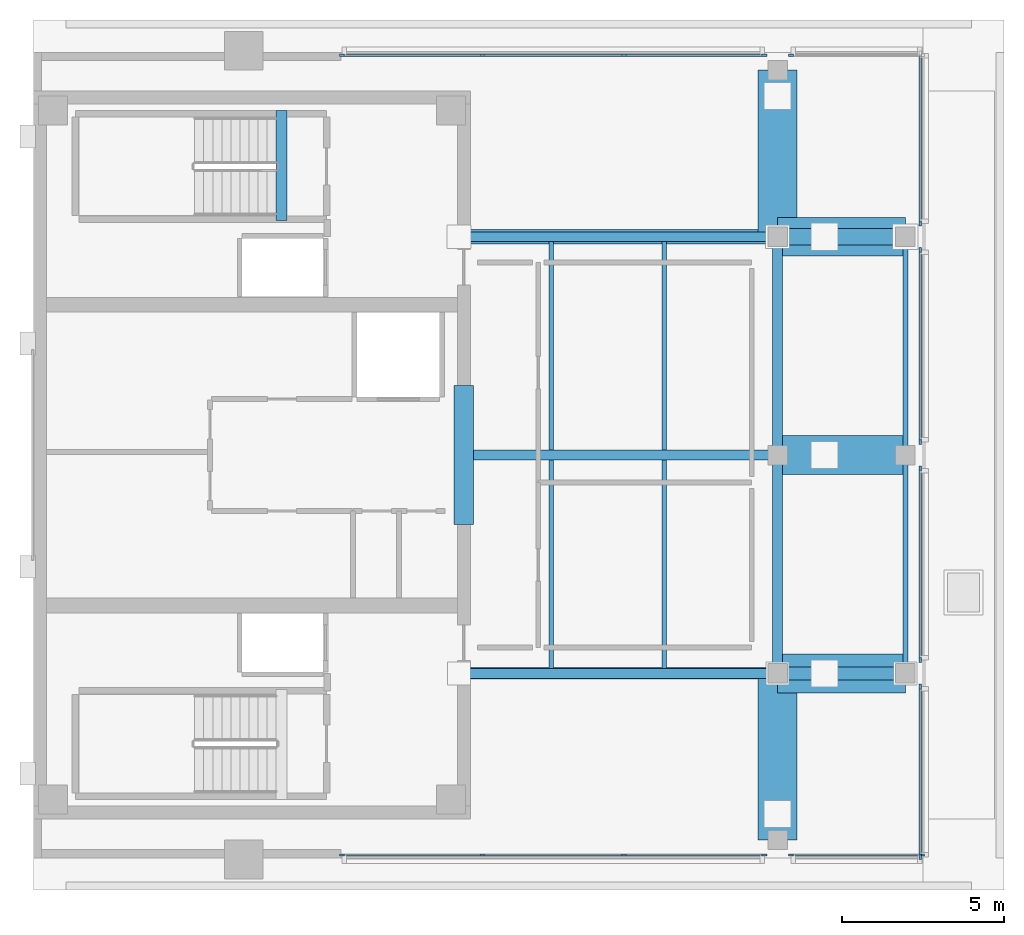
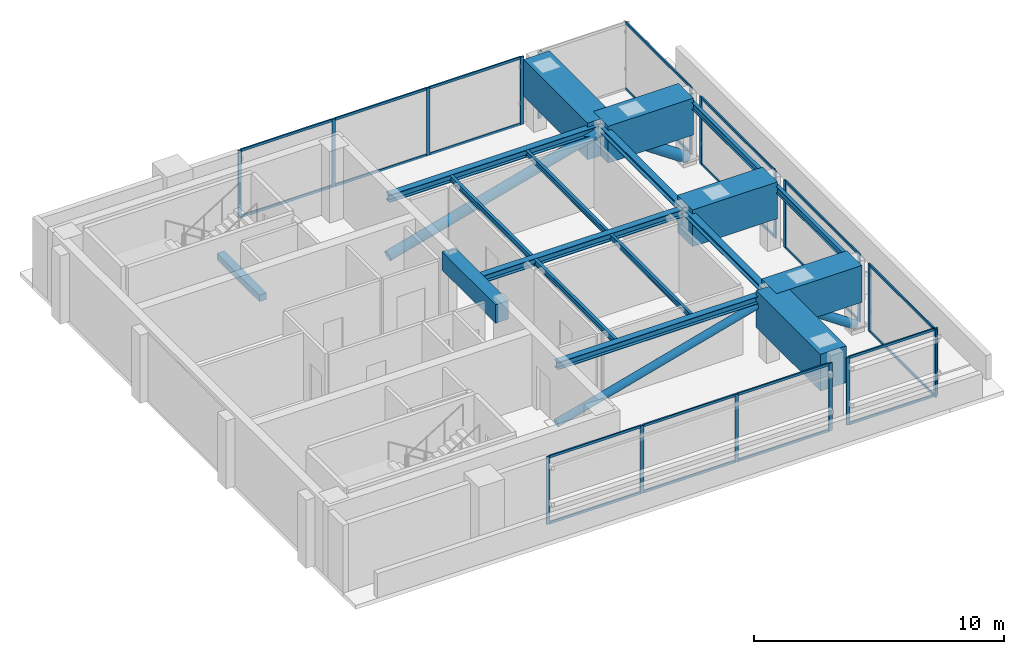
# One storey, part 2 of 9: 44 members, 18 beams, 8 elements without a shape of their own.
"""IFC4 building model written with IfcOpenShell, lengths in metres."""

from ifc_helpers import new_model, si_unit, direction, frame, origin, origin_2d, place, context, subcontext, project, spatial, rectangle, hollow_circle, i_section, extrude, material, layer, layer_set, material_profile, profile_set, type_object, element, aggregate, save


model = new_model("IFC4")

# Units and contexts
model_context = context("Model", 3, precision=1e-05, world=origin(), true_north=direction((0.0, 1.0)))
body_context = subcontext(model_context, "Body", "Model", "MODEL_VIEW")
ifc_project = project(units=[si_unit("LENGTHUNIT", "METRE"), si_unit("AREAUNIT", "SQUARE_METRE"), si_unit("VOLUMEUNIT", "CUBIC_METRE"), si_unit("PLANEANGLEUNIT", "RADIAN"), si_unit("MASSUNIT", "GRAM", prefix="KILO")], contexts=[model_context])

# Site, building, storey
site_placement = place(None, origin())
site = spatial("IfcSite", under=ifc_project, at=site_placement, CompositionType="ELEMENT")
building_placement = place(site_placement, origin())
building = spatial("IfcBuilding", under=site, at=building_placement, Name="Kinhvarn Gate Tower", CompositionType="ELEMENT")
storey_placement = place(building_placement, frame((0.0, 0.0, 318.050048828125)))
storey = spatial("IfcBuildingStorey", under=building, at=storey_placement, Name="L84", CompositionType="ELEMENT", Elevation=318.050048828125)

# Beams
ifc_material_1 = material(Name="Concrete C60/75", Category="concrete")
ifc_material_profile_1 = material_profile(ifc_material_1, rectangle(XDim=0.60009765625, YDim=0.89990234375, at=origin_2d()), Name="RC 600x900")
ifc_profile_set_1 = profile_set([ifc_material_profile_1], Name="Concrete C60/75")
beam_type_1 = type_object("IfcBeamType", Name="BM-CB-900", PredefinedType="LINTEL", material=ifc_profile_set_1)
beam_1_placement = place(storey_placement, frame((17.800048828125, 23.10009765625, 2.849853515625), z_axis=(0.0, 1.0, 0.0), x_axis=(-1.0, 0.0, 0.0)))
element("IfcBeam", 1, at=beam_1_placement, inside=storey, type_object=beam_type_1, Name="Core East Portal Coupling Beam L84", PredefinedType="LINTEL", context=body_context, shape_type="SweptSolid", body=[
    extrude(rectangle(XDim=0.60009765625, YDim=0.89990234375, at=origin_2d()), origin(), (0.0, 0.0, 1.0), 4.2998046875),
])
ifc_material_2 = material(Name="Concrete C50/60", Category="concrete")
ifc_material_profile_2 = material_profile(ifc_material_2, rectangle(XDim=0.340087890625, YDim=0.320068359375, at=origin_2d()), Name="RC 340x320")
ifc_profile_set_2 = profile_set([ifc_material_profile_2], Name="Concrete C50/60")
beam_type_2 = type_object("IfcBeamType", Name="BM-LND-500", PredefinedType="BEAM", material=ifc_profile_set_2)
beam_2_placement = place(storey_placement, frame((12.1650390625, 32.5, -0.16015625), z_axis=(0.0, 1.0, 0.0), x_axis=(-1.0, 0.0, 0.0)))
element("IfcBeam", 2, at=beam_2_placement, inside=storey, type_object=beam_type_2, Name="Stair ST2 Landing Nosing Beam (L84)", PredefinedType="BEAM", context=body_context, shape_type="SweptSolid", body=[
    extrude(rectangle(XDim=0.340087890625, YDim=0.320068359375, at=origin_2d()), origin(), (0.0, 0.0, 1.0), 3.39990234375),
])
ifc_material_profile_3 = material_profile(ifc_material_2, rectangle(XDim=1.199951171875, YDim=1.800048828125, at=origin_2d()), Name="RC 1200x1800")
ifc_profile_set_3 = profile_set([ifc_material_profile_3], Name="Concrete C50/60")
beam_type_3 = type_object("IfcBeamType", Name="BM-TG-1800", PredefinedType="BEAM", material=ifc_profile_set_3)
for number, where, z_axis, x_axis, name in (
    (3, (27.5, 18.5, 2.599853515625), (1.0, 0.0, 0.0), (0.0, 1.0, 0.0), "Setback Transfer Girder TG-03-L85-CCR-E1"),
    (4, (27.5, 25.25, 2.599853515625), (1.0, 0.0, 0.0), (0.0, 1.0, 0.0), "Setback Transfer Girder TG-03-L85-CCR-E2"),
    (5, (27.5, 32.0, 2.599853515625), (1.0, 0.0, 0.0), (0.0, 1.0, 0.0), "Setback Transfer Girder TG-03-L85-CCR-E3"),
):
    element("IfcBeam", number, at=place(storey_placement, frame(where, z_axis=z_axis, x_axis=x_axis)), inside=storey, type_object=beam_type_3, Name=name, PredefinedType="BEAM", context=body_context, shape_type="SweptSolid", body=[
        extrude(rectangle(XDim=1.199951171875, YDim=1.800048828125, at=origin_2d()), origin(), (0.0, 0.0, 1.0), 3.949951171875),
    ])
for number, where, z_axis, x_axis, name in (
    (6, (27.5, 13.35009765625, 2.599853515625), (0.0, 1.0, 0.0), (-1.0, 0.0, 0.0), "Setback Transfer Girder TG-03-L85-CCR-S1"),
    (7, (27.5, 32.0, 2.599853515625), (0.0, 1.0, 0.0), (-1.0, 0.0, 0.0), "Setback Transfer Girder TG-03-L85-CCR-N1"),
):
    element("IfcBeam", number, at=place(storey_placement, frame(where, z_axis=z_axis, x_axis=x_axis)), inside=storey, type_object=beam_type_3, Name=name, PredefinedType="BEAM", context=body_context, shape_type="SweptSolid", body=[
        extrude(rectangle(XDim=1.199951171875, YDim=1.800048828125, at=origin_2d()), origin(), (0.0, 0.0, 1.0), 5.14990234375),
    ])

# Curtain wall, members
ifc_material_3 = material(Name="Anodised aluminium AW-6063", Category="aluminium")
ifc_layer = layer(ifc_material_3, 0.199951171875)
ifc_layer_set = layer_set([ifc_layer], Name="Anodised aluminium AW-6063")
curtain_wall_type = type_object("IfcCurtainWallType", Name="CW-SYS-6", PredefinedType="NOTDEFINED", material=ifc_layer_set)
curtain_wall_1_placement = place(storey_placement, origin())
curtain_wall_1 = element("IfcCurtainWall", 8, at=curtain_wall_1_placement, inside=storey, type_object=curtain_wall_type, Name="Curtain Wall CW6 (L84)", PredefinedType="NOTDEFINED")
ifc_material_profile_4 = material_profile(ifc_material_3, rectangle(XDim=0.06494140625, YDim=0.159912109375, at=origin_2d()), Name="ALU 65x160")
ifc_profile_set_4 = profile_set([ifc_material_profile_4], Name="Anodised aluminium AW-6063")
member_type_1 = type_object("IfcMemberType", Name="CW-MUL-160", PredefinedType="MULLION", material=ifc_profile_set_4)
member_1_placement = place(storey_placement, frame((14.032470703125, 12.889892578125, 0.0), z_axis=(0.0, 0.0, 1.0), x_axis=(0.0, 1.0, 0.0)))
member_1 = element("IfcMember", 9, at=member_1_placement, type_object=member_type_1, Name="CW6 mullion 1", PredefinedType="MULLION", context=body_context, shape_type="SweptSolid", body=[
    extrude(rectangle(XDim=0.06494140625, YDim=0.159912109375, at=origin_2d()), origin(), (0.0, 0.0, 1.0), 3.300048828125),
])
member_2_placement = place(storey_placement, frame((18.373291015625, 12.889892578125, 0.0), z_axis=(0.0, 0.0, 1.0), x_axis=(0.0, 1.0, 0.0)))
member_2 = element("IfcMember", 10, at=member_2_placement, type_object=member_type_1, Name="CW6 mullion 2", PredefinedType="MULLION", context=body_context, shape_type="SweptSolid", body=[
    extrude(rectangle(XDim=0.06494140625, YDim=0.159912109375, at=origin_2d()), origin(), (0.0, 0.0, 1.0), 3.300048828125),
])
member_3_placement = place(storey_placement, frame((22.74658203125, 12.889892578125, 0.0), z_axis=(0.0, 0.0, 1.0), x_axis=(0.0, 1.0, 0.0)))
member_3 = element("IfcMember", 11, at=member_3_placement, type_object=member_type_1, Name="CW6 mullion 3", PredefinedType="MULLION", context=body_context, shape_type="SweptSolid", body=[
    extrude(rectangle(XDim=0.06494140625, YDim=0.159912109375, at=origin_2d()), origin(), (0.0, 0.0, 1.0), 3.300048828125),
])
member_4_placement = place(storey_placement, frame((27.08740234375, 12.889892578125, 0.0), z_axis=(0.0, 0.0, 1.0), x_axis=(0.0, 1.0, 0.0)))
member_4 = element("IfcMember", 12, at=member_4_placement, type_object=member_type_1, Name="CW6 mullion 4", PredefinedType="MULLION", context=body_context, shape_type="SweptSolid", body=[
    extrude(rectangle(XDim=0.06494140625, YDim=0.159912109375, at=origin_2d()), origin(), (0.0, 0.0, 1.0), 3.300048828125),
])

curtain_wall_2_placement = place(storey_placement, origin())
curtain_wall_2 = element("IfcCurtainWall", 13, at=curtain_wall_2_placement, inside=storey, type_object=curtain_wall_type, Name="Curtain Wall CW6 (L84)", PredefinedType="NOTDEFINED")
member_5_placement = place(storey_placement, frame((27.91259765625, 12.889892578125, 0.0), z_axis=(0.0, 0.0, 1.0), x_axis=(0.0, 1.0, 0.0)))
member_5 = element("IfcMember", 14, at=member_5_placement, type_object=member_type_1, Name="CW6 mullion 1", PredefinedType="MULLION", context=body_context, shape_type="SweptSolid", body=[
    extrude(rectangle(XDim=0.06494140625, YDim=0.159912109375, at=origin_2d()), origin(), (0.0, 0.0, 1.0), 3.300048828125),
])
member_6_placement = place(storey_placement, frame((31.967529296875, 12.889892578125, 0.0), z_axis=(0.0, 0.0, 1.0), x_axis=(0.0, 1.0, 0.0)))
member_6 = element("IfcMember", 15, at=member_6_placement, type_object=member_type_1, Name="CW6 mullion 2", PredefinedType="MULLION", context=body_context, shape_type="SweptSolid", body=[
    extrude(rectangle(XDim=0.06494140625, YDim=0.159912109375, at=origin_2d()), origin(), (0.0, 0.0, 1.0), 3.300048828125),
])

# Curtain wall, member
curtain_wall_3_placement = place(storey_placement, origin())
curtain_wall_3 = element("IfcCurtainWall", 16, at=curtain_wall_3_placement, inside=storey, type_object=curtain_wall_type, Name="Curtain Wall CW6 (L84)", PredefinedType="NOTDEFINED")
member_7_placement = place(storey_placement, frame((27.91259765625, 37.610107421875, 0.0), z_axis=(0.0, 0.0, 1.0), x_axis=(0.0, -1.0, 0.0)))
member_7 = element("IfcMember", 17, at=member_7_placement, type_object=member_type_1, Name="CW6 mullion 2", PredefinedType="MULLION", context=body_context, shape_type="SweptSolid", body=[
    extrude(rectangle(XDim=0.06494140625, YDim=0.159912109375, at=origin_2d()), origin(), (0.0, 0.0, 1.0), 3.300048828125),
])
aggregate(curtain_wall_3, [member_7])

# Curtain wall, members
curtain_wall_4_placement = place(storey_placement, origin())
curtain_wall_4 = element("IfcCurtainWall", 18, at=curtain_wall_4_placement, inside=storey, type_object=curtain_wall_type, Name="Curtain Wall CW6 (L84)", PredefinedType="NOTDEFINED")
member_8_placement = place(storey_placement, frame((27.08740234375, 37.610107421875, 0.0), z_axis=(0.0, 0.0, 1.0), x_axis=(0.0, -1.0, 0.0)))
member_8 = element("IfcMember", 19, at=member_8_placement, type_object=member_type_1, Name="CW6 mullion 1", PredefinedType="MULLION", context=body_context, shape_type="SweptSolid", body=[
    extrude(rectangle(XDim=0.06494140625, YDim=0.159912109375, at=origin_2d()), origin(), (0.0, 0.0, 1.0), 3.300048828125),
])
member_9_placement = place(storey_placement, frame((22.74658203125, 37.610107421875, 0.0), z_axis=(0.0, 0.0, 1.0), x_axis=(0.0, -1.0, 0.0)))
member_9 = element("IfcMember", 20, at=member_9_placement, type_object=member_type_1, Name="CW6 mullion 2", PredefinedType="MULLION", context=body_context, shape_type="SweptSolid", body=[
    extrude(rectangle(XDim=0.06494140625, YDim=0.159912109375, at=origin_2d()), origin(), (0.0, 0.0, 1.0), 3.300048828125),
])
member_10_placement = place(storey_placement, frame((18.373291015625, 37.610107421875, 0.0), z_axis=(0.0, 0.0, 1.0), x_axis=(0.0, -1.0, 0.0)))
member_10 = element("IfcMember", 21, at=member_10_placement, type_object=member_type_1, Name="CW6 mullion 3", PredefinedType="MULLION", context=body_context, shape_type="SweptSolid", body=[
    extrude(rectangle(XDim=0.06494140625, YDim=0.159912109375, at=origin_2d()), origin(), (0.0, 0.0, 1.0), 3.300048828125),
])
member_11_placement = place(storey_placement, frame((14.032470703125, 37.610107421875, 0.0), z_axis=(0.0, 0.0, 1.0), x_axis=(0.0, -1.0, 0.0)))
member_11 = element("IfcMember", 22, at=member_11_placement, type_object=member_type_1, Name="CW6 mullion 4", PredefinedType="MULLION", context=body_context, shape_type="SweptSolid", body=[
    extrude(rectangle(XDim=0.06494140625, YDim=0.159912109375, at=origin_2d()), origin(), (0.0, 0.0, 1.0), 3.300048828125),
])

curtain_wall_5_placement = place(storey_placement, origin())
curtain_wall_5 = element("IfcCurtainWall", 23, at=curtain_wall_5_placement, inside=storey, type_object=curtain_wall_type, Name="Curtain Wall CW6 (L84)", PredefinedType="NOTDEFINED")
member_12_placement = place(storey_placement, frame((31.909912109375, 12.83251953125, 0.0), z_axis=(0.0, 0.0, 1.0), x_axis=(-1.0, 0.0, 0.0)))
member_12 = element("IfcMember", 24, at=member_12_placement, type_object=member_type_1, Name="CW6 mullion 1", PredefinedType="MULLION", context=body_context, shape_type="SweptSolid", body=[
    extrude(rectangle(XDim=0.06494140625, YDim=0.159912109375, at=origin_2d()), origin(), (0.0, 0.0, 1.0), 3.300048828125),
])
member_13_placement = place(storey_placement, frame((31.909912109375, 18.08740234375, 0.0), z_axis=(0.0, 0.0, 1.0), x_axis=(-1.0, 0.0, 0.0)))
member_13 = element("IfcMember", 25, at=member_13_placement, type_object=member_type_1, Name="CW6 mullion 2", PredefinedType="MULLION", context=body_context, shape_type="SweptSolid", body=[
    extrude(rectangle(XDim=0.06494140625, YDim=0.159912109375, at=origin_2d()), origin(), (0.0, 0.0, 1.0), 3.300048828125),
])

curtain_wall_6_placement = place(storey_placement, origin())
curtain_wall_6 = element("IfcCurtainWall", 26, at=curtain_wall_6_placement, inside=storey, type_object=curtain_wall_type, Name="Curtain Wall CW6 (L84)", PredefinedType="NOTDEFINED")
member_14_placement = place(storey_placement, frame((31.909912109375, 18.91259765625, 0.0), z_axis=(0.0, 0.0, 1.0), x_axis=(-1.0, 0.0, 0.0)))
member_14 = element("IfcMember", 27, at=member_14_placement, type_object=member_type_1, Name="CW6 mullion 1", PredefinedType="MULLION", context=body_context, shape_type="SweptSolid", body=[
    extrude(rectangle(XDim=0.06494140625, YDim=0.159912109375, at=origin_2d()), origin(), (0.0, 0.0, 1.0), 3.300048828125),
])
member_15_placement = place(storey_placement, frame((31.909912109375, 24.83740234375, 0.0), z_axis=(0.0, 0.0, 1.0), x_axis=(-1.0, 0.0, 0.0)))
member_15 = element("IfcMember", 28, at=member_15_placement, type_object=member_type_1, Name="CW6 mullion 2", PredefinedType="MULLION", context=body_context, shape_type="SweptSolid", body=[
    extrude(rectangle(XDim=0.06494140625, YDim=0.159912109375, at=origin_2d()), origin(), (0.0, 0.0, 1.0), 3.300048828125),
])

curtain_wall_7_placement = place(storey_placement, origin())
curtain_wall_7 = element("IfcCurtainWall", 29, at=curtain_wall_7_placement, inside=storey, type_object=curtain_wall_type, Name="Curtain Wall CW6 (L84)", PredefinedType="NOTDEFINED")
member_16_placement = place(storey_placement, frame((31.909912109375, 25.66259765625, 0.0), z_axis=(0.0, 0.0, 1.0), x_axis=(-1.0, 0.0, 0.0)))
member_16 = element("IfcMember", 30, at=member_16_placement, type_object=member_type_1, Name="CW6 mullion 1", PredefinedType="MULLION", context=body_context, shape_type="SweptSolid", body=[
    extrude(rectangle(XDim=0.06494140625, YDim=0.159912109375, at=origin_2d()), origin(), (0.0, 0.0, 1.0), 3.300048828125),
])
member_17_placement = place(storey_placement, frame((31.909912109375, 31.58740234375, 0.0), z_axis=(0.0, 0.0, 1.0), x_axis=(-1.0, 0.0, 0.0)))
member_17 = element("IfcMember", 31, at=member_17_placement, type_object=member_type_1, Name="CW6 mullion 2", PredefinedType="MULLION", context=body_context, shape_type="SweptSolid", body=[
    extrude(rectangle(XDim=0.06494140625, YDim=0.159912109375, at=origin_2d()), origin(), (0.0, 0.0, 1.0), 3.300048828125),
])

# Curtain wall, member
curtain_wall_8_placement = place(storey_placement, origin())
curtain_wall_8 = element("IfcCurtainWall", 32, at=curtain_wall_8_placement, inside=storey, type_object=curtain_wall_type, Name="Curtain Wall CW6 (L84)", PredefinedType="NOTDEFINED")
member_18_placement = place(storey_placement, frame((31.909912109375, 32.41259765625, 0.0), z_axis=(0.0, 0.0, 1.0), x_axis=(-1.0, 0.0, 0.0)))
member_18 = element("IfcMember", 33, at=member_18_placement, type_object=member_type_1, Name="CW6 mullion 1", PredefinedType="MULLION", context=body_context, shape_type="SweptSolid", body=[
    extrude(rectangle(XDim=0.06494140625, YDim=0.159912109375, at=origin_2d()), origin(), (0.0, 0.0, 1.0), 3.300048828125),
])

# Member
ifc_material_profile_5 = material_profile(ifc_material_3, rectangle(XDim=0.06494140625, YDim=0.1201171875, at=origin_2d()), Name="ALU 65x120")
ifc_profile_set_5 = profile_set([ifc_material_profile_5], Name="Anodised aluminium AW-6063")
member_type_2 = type_object("IfcMemberType", Name="CW-TRN-120", PredefinedType="USERDEFINED", material=ifc_profile_set_5)
member_19_placement = place(storey_placement, frame((14.06494140625, 12.889892578125, 0.032470703125), z_axis=(1.0, 0.0, 0.0), x_axis=(0.0, 1.0, 0.0)))
member_19 = element("IfcMember", 34, at=member_19_placement, type_object=member_type_2, Name="CW6 transom 1.1", ObjectType="TRANSOM", PredefinedType="USERDEFINED", context=body_context, shape_type="SweptSolid", body=[
    extrude(rectangle(XDim=0.06494140625, YDim=0.1201171875, at=origin_2d()), origin(), (0.0, 0.0, 1.0), 4.27587890625),
])

member_20_placement = place(storey_placement, frame((14.06494140625, 12.889892578125, 3.267333984375), z_axis=(1.0, 0.0, 0.0), x_axis=(0.0, 1.0, 0.0)))
member_20 = element("IfcMember", 35, at=member_20_placement, type_object=member_type_2, Name="CW6 transom 1.2", ObjectType="TRANSOM", PredefinedType="USERDEFINED", context=body_context, shape_type="SweptSolid", body=[
    extrude(rectangle(XDim=0.06494140625, YDim=0.1201171875, at=origin_2d()), origin(), (0.0, 0.0, 1.0), 4.27587890625),
])

member_21_placement = place(storey_placement, frame((18.40576171875, 12.889892578125, 0.032470703125), z_axis=(1.0, 0.0, 0.0), x_axis=(0.0, 1.0, 0.0)))
member_21 = element("IfcMember", 36, at=member_21_placement, type_object=member_type_2, Name="CW6 transom 2.1", ObjectType="TRANSOM", PredefinedType="USERDEFINED", context=body_context, shape_type="SweptSolid", body=[
    extrude(rectangle(XDim=0.06494140625, YDim=0.1201171875, at=origin_2d()), origin(), (0.0, 0.0, 1.0), 4.308349609375),
])

member_22_placement = place(storey_placement, frame((18.40576171875, 12.889892578125, 3.267333984375), z_axis=(1.0, 0.0, 0.0), x_axis=(0.0, 1.0, 0.0)))
member_22 = element("IfcMember", 37, at=member_22_placement, type_object=member_type_2, Name="CW6 transom 2.2", ObjectType="TRANSOM", PredefinedType="USERDEFINED", context=body_context, shape_type="SweptSolid", body=[
    extrude(rectangle(XDim=0.06494140625, YDim=0.1201171875, at=origin_2d()), origin(), (0.0, 0.0, 1.0), 4.308349609375),
])

member_23_placement = place(storey_placement, frame((22.779052734375, 12.889892578125, 0.032470703125), z_axis=(1.0, 0.0, 0.0), x_axis=(0.0, 1.0, 0.0)))
member_23 = element("IfcMember", 38, at=member_23_placement, type_object=member_type_2, Name="CW6 transom 3.1", ObjectType="TRANSOM", PredefinedType="USERDEFINED", context=body_context, shape_type="SweptSolid", body=[
    extrude(rectangle(XDim=0.06494140625, YDim=0.1201171875, at=origin_2d()), origin(), (0.0, 0.0, 1.0), 4.27587890625),
])

member_24_placement = place(storey_placement, frame((22.779052734375, 12.889892578125, 3.267333984375), z_axis=(1.0, 0.0, 0.0), x_axis=(0.0, 1.0, 0.0)))
member_24 = element("IfcMember", 39, at=member_24_placement, type_object=member_type_2, Name="CW6 transom 3.2", ObjectType="TRANSOM", PredefinedType="USERDEFINED", context=body_context, shape_type="SweptSolid", body=[
    extrude(rectangle(XDim=0.06494140625, YDim=0.1201171875, at=origin_2d()), origin(), (0.0, 0.0, 1.0), 4.27587890625),
])

aggregate(curtain_wall_1, [member_1, member_2, member_3, member_4, member_19, member_20, member_21, member_22, member_23, member_24])

member_25_placement = place(storey_placement, frame((27.945068359375, 12.889892578125, 0.032470703125), z_axis=(1.0, 0.0, 0.0), x_axis=(0.0, 1.0, 0.0)))
member_25 = element("IfcMember", 40, at=member_25_placement, type_object=member_type_2, Name="CW6 transom 1.1", ObjectType="TRANSOM", PredefinedType="USERDEFINED", context=body_context, shape_type="SweptSolid", body=[
    extrude(rectangle(XDim=0.06494140625, YDim=0.1201171875, at=origin_2d()), origin(), (0.0, 0.0, 1.0), 3.989990234375),
])

member_26_placement = place(storey_placement, frame((27.945068359375, 12.889892578125, 3.267333984375), z_axis=(1.0, 0.0, 0.0), x_axis=(0.0, 1.0, 0.0)))
member_26 = element("IfcMember", 41, at=member_26_placement, type_object=member_type_2, Name="CW6 transom 1.2", ObjectType="TRANSOM", PredefinedType="USERDEFINED", context=body_context, shape_type="SweptSolid", body=[
    extrude(rectangle(XDim=0.06494140625, YDim=0.1201171875, at=origin_2d()), origin(), (0.0, 0.0, 1.0), 3.989990234375),
])

aggregate(curtain_wall_2, [member_5, member_6, member_25, member_26])

member_27_placement = place(storey_placement, frame((27.054931640625, 37.610107421875, 0.032470703125), z_axis=(-1.0, 0.0, 0.0), x_axis=(0.0, -1.0, 0.0)))
member_27 = element("IfcMember", 42, at=member_27_placement, type_object=member_type_2, Name="CW6 transom 1.1", ObjectType="TRANSOM", PredefinedType="USERDEFINED", context=body_context, shape_type="SweptSolid", body=[
    extrude(rectangle(XDim=0.06494140625, YDim=0.1201171875, at=origin_2d()), origin(), (0.0, 0.0, 1.0), 4.27587890625),
])

member_28_placement = place(storey_placement, frame((27.054931640625, 37.610107421875, 3.267333984375), z_axis=(-1.0, 0.0, 0.0), x_axis=(0.0, -1.0, 0.0)))
member_28 = element("IfcMember", 43, at=member_28_placement, type_object=member_type_2, Name="CW6 transom 1.2", ObjectType="TRANSOM", PredefinedType="USERDEFINED", context=body_context, shape_type="SweptSolid", body=[
    extrude(rectangle(XDim=0.06494140625, YDim=0.1201171875, at=origin_2d()), origin(), (0.0, 0.0, 1.0), 4.27587890625),
])

member_29_placement = place(storey_placement, frame((22.714111328125, 37.610107421875, 0.032470703125), z_axis=(-1.0, 0.0, 0.0), x_axis=(0.0, -1.0, 0.0)))
member_29 = element("IfcMember", 44, at=member_29_placement, type_object=member_type_2, Name="CW6 transom 2.1", ObjectType="TRANSOM", PredefinedType="USERDEFINED", context=body_context, shape_type="SweptSolid", body=[
    extrude(rectangle(XDim=0.06494140625, YDim=0.1201171875, at=origin_2d()), origin(), (0.0, 0.0, 1.0), 4.308349609375),
])

member_30_placement = place(storey_placement, frame((22.714111328125, 37.610107421875, 3.267333984375), z_axis=(-1.0, 0.0, 0.0), x_axis=(0.0, -1.0, 0.0)))
member_30 = element("IfcMember", 45, at=member_30_placement, type_object=member_type_2, Name="CW6 transom 2.2", ObjectType="TRANSOM", PredefinedType="USERDEFINED", context=body_context, shape_type="SweptSolid", body=[
    extrude(rectangle(XDim=0.06494140625, YDim=0.1201171875, at=origin_2d()), origin(), (0.0, 0.0, 1.0), 4.308349609375),
])

member_31_placement = place(storey_placement, frame((18.3408203125, 37.610107421875, 0.032470703125), z_axis=(-1.0, 0.0, 0.0), x_axis=(0.0, -1.0, 0.0)))
member_31 = element("IfcMember", 46, at=member_31_placement, type_object=member_type_2, Name="CW6 transom 3.1", ObjectType="TRANSOM", PredefinedType="USERDEFINED", context=body_context, shape_type="SweptSolid", body=[
    extrude(rectangle(XDim=0.06494140625, YDim=0.1201171875, at=origin_2d()), origin(), (0.0, 0.0, 1.0), 4.27587890625),
])

member_32_placement = place(storey_placement, frame((18.3408203125, 37.610107421875, 3.267333984375), z_axis=(-1.0, 0.0, 0.0), x_axis=(0.0, -1.0, 0.0)))
member_32 = element("IfcMember", 47, at=member_32_placement, type_object=member_type_2, Name="CW6 transom 3.2", ObjectType="TRANSOM", PredefinedType="USERDEFINED", context=body_context, shape_type="SweptSolid", body=[
    extrude(rectangle(XDim=0.06494140625, YDim=0.1201171875, at=origin_2d()), origin(), (0.0, 0.0, 1.0), 4.27587890625),
])

aggregate(curtain_wall_4, [member_8, member_9, member_10, member_11, member_27, member_28, member_29, member_30, member_31, member_32])

member_33_placement = place(storey_placement, frame((31.909912109375, 12.864990234375, 0.032470703125), z_axis=(0.0, 1.0, 0.0), x_axis=(-1.0, 0.0, 0.0)))
member_33 = element("IfcMember", 48, at=member_33_placement, type_object=member_type_2, Name="CW6 transom 1.1", ObjectType="TRANSOM", PredefinedType="USERDEFINED", context=body_context, shape_type="SweptSolid", body=[
    extrude(rectangle(XDim=0.06494140625, YDim=0.1201171875, at=origin_2d()), origin(), (0.0, 0.0, 1.0), 5.18994140625),
])

member_34_placement = place(storey_placement, frame((31.909912109375, 12.864990234375, 3.267333984375), z_axis=(0.0, 1.0, 0.0), x_axis=(-1.0, 0.0, 0.0)))
member_34 = element("IfcMember", 49, at=member_34_placement, type_object=member_type_2, Name="CW6 transom 1.2", ObjectType="TRANSOM", PredefinedType="USERDEFINED", context=body_context, shape_type="SweptSolid", body=[
    extrude(rectangle(XDim=0.06494140625, YDim=0.1201171875, at=origin_2d()), origin(), (0.0, 0.0, 1.0), 5.18994140625),
])

aggregate(curtain_wall_5, [member_12, member_13, member_33, member_34])

member_35_placement = place(storey_placement, frame((31.909912109375, 18.945068359375, 0.032470703125), z_axis=(0.0, 1.0, 0.0), x_axis=(-1.0, 0.0, 0.0)))
member_35 = element("IfcMember", 50, at=member_35_placement, type_object=member_type_2, Name="CW6 transom 1.1", ObjectType="TRANSOM", PredefinedType="USERDEFINED", context=body_context, shape_type="SweptSolid", body=[
    extrude(rectangle(XDim=0.06494140625, YDim=0.1201171875, at=origin_2d()), origin(), (0.0, 0.0, 1.0), 5.85986328125),
])

member_36_placement = place(storey_placement, frame((31.909912109375, 18.945068359375, 3.267333984375), z_axis=(0.0, 1.0, 0.0), x_axis=(-1.0, 0.0, 0.0)))
member_36 = element("IfcMember", 51, at=member_36_placement, type_object=member_type_2, Name="CW6 transom 1.2", ObjectType="TRANSOM", PredefinedType="USERDEFINED", context=body_context, shape_type="SweptSolid", body=[
    extrude(rectangle(XDim=0.06494140625, YDim=0.1201171875, at=origin_2d()), origin(), (0.0, 0.0, 1.0), 5.85986328125),
])

aggregate(curtain_wall_6, [member_14, member_15, member_35, member_36])

member_37_placement = place(storey_placement, frame((31.909912109375, 25.695068359375, 0.032470703125), z_axis=(0.0, 1.0, 0.0), x_axis=(-1.0, 0.0, 0.0)))
member_37 = element("IfcMember", 52, at=member_37_placement, type_object=member_type_2, Name="CW6 transom 1.1", ObjectType="TRANSOM", PredefinedType="USERDEFINED", context=body_context, shape_type="SweptSolid", body=[
    extrude(rectangle(XDim=0.06494140625, YDim=0.1201171875, at=origin_2d()), origin(), (0.0, 0.0, 1.0), 5.85986328125),
])

member_38_placement = place(storey_placement, frame((31.909912109375, 25.695068359375, 3.267333984375), z_axis=(0.0, 1.0, 0.0), x_axis=(-1.0, 0.0, 0.0)))
member_38 = element("IfcMember", 53, at=member_38_placement, type_object=member_type_2, Name="CW6 transom 1.2", ObjectType="TRANSOM", PredefinedType="USERDEFINED", context=body_context, shape_type="SweptSolid", body=[
    extrude(rectangle(XDim=0.06494140625, YDim=0.1201171875, at=origin_2d()), origin(), (0.0, 0.0, 1.0), 5.85986328125),
])

aggregate(curtain_wall_7, [member_16, member_17, member_37, member_38])

member_39_placement = place(storey_placement, frame((31.909912109375, 32.445068359375, 0.032470703125), z_axis=(0.0, 1.0, 0.0), x_axis=(-1.0, 0.0, 0.0)))
member_39 = element("IfcMember", 54, at=member_39_placement, type_object=member_type_2, Name="CW6 transom 1.1", ObjectType="TRANSOM", PredefinedType="USERDEFINED", context=body_context, shape_type="SweptSolid", body=[
    extrude(rectangle(XDim=0.06494140625, YDim=0.1201171875, at=origin_2d()), origin(), (0.0, 0.0, 1.0), 5.18994140625),
])

member_40_placement = place(storey_placement, frame((31.909912109375, 32.445068359375, 3.267333984375), z_axis=(0.0, 1.0, 0.0), x_axis=(-1.0, 0.0, 0.0)))
member_40 = element("IfcMember", 55, at=member_40_placement, type_object=member_type_2, Name="CW6 transom 1.2", ObjectType="TRANSOM", PredefinedType="USERDEFINED", context=body_context, shape_type="SweptSolid", body=[
    extrude(rectangle(XDim=0.06494140625, YDim=0.1201171875, at=origin_2d()), origin(), (0.0, 0.0, 1.0), 5.18994140625),
])

aggregate(curtain_wall_8, [member_18, member_39, member_40])

# Members
ifc_material_4 = material(Name="Steel S355", Category="steel")
ifc_material_profile_6 = material_profile(ifc_material_4, hollow_circle(Radius=0.177734375, WallThickness=0.01611328125, at=origin_2d()), Name="CHS 355.6x16")
ifc_profile_set_6 = profile_set([ifc_material_profile_6], Name="Steel S355")
member_type_3 = type_object("IfcMemberType", Name="MBR-CHS355_6x16", PredefinedType="STRUT", material=ifc_profile_set_6)
member_41_placement = place(storey_placement, frame((17.64990234375, 18.5, 0.25), z_axis=(0.964425984985, 0.0, 0.264353020571), x_axis=(0.0, 1.0, 0.0)))
element("IfcMember", 56, at=member_41_placement, inside=storey, type_object=member_type_3, Name="Crown Frame Strut SR-13 (CHS 355.6x16)", PredefinedType="STRUT", context=body_context, shape_type="SweptSolid", body=[
    extrude(hollow_circle(Radius=0.177734375, WallThickness=0.01611328125, at=origin_2d()), origin(), (0.0, 0.0, 1.0), 10.21337890625),
])
ifc_material_profile_7 = material_profile(ifc_material_4, hollow_circle(Radius=0.203125, WallThickness=0.02001953125, at=origin_2d()), Name="CHS 406.4x20")
ifc_profile_set_7 = profile_set([ifc_material_profile_7], Name="Steel S355")
member_type_4 = type_object("IfcMemberType", Name="MBR-CHS406_4x20", PredefinedType="STRUT", material=ifc_profile_set_7)
member_42_placement = place(storey_placement, frame((27.5, 18.5, 2.949951171875), z_axis=(0.825565005729, 0.0, -0.564307027527), x_axis=(0.0, 1.0, 0.0)))
element("IfcMember", 57, at=member_42_placement, inside=storey, type_object=member_type_4, Name="Crown Frame Strut SR-14 (CHS 406.4x20)", PredefinedType="STRUT", context=body_context, shape_type="SweptSolid", body=[
    extrude(hollow_circle(Radius=0.203125, WallThickness=0.02001953125, at=origin_2d()), origin(), (0.0, 0.0, 1.0), 4.784423828125),
])
ifc_material_profile_8 = material_profile(ifc_material_4, hollow_circle(Radius=0.228515625, WallThickness=0.02001953125, at=origin_2d()), Name="CHS 457x20")
ifc_profile_set_8 = profile_set([ifc_material_profile_8], Name="Steel S355")
member_type_5 = type_object("IfcMemberType", Name="MBR-CHS457x20", PredefinedType="STRUT", material=ifc_profile_set_8)
member_43_placement = place(storey_placement, frame((17.64990234375, 32.0, 0.25), z_axis=(0.964425984985, 0.0, 0.264353020571), x_axis=(0.0, 1.0, 0.0)))
element("IfcMember", 58, at=member_43_placement, inside=storey, type_object=member_type_5, Name="Crown Frame Strut SR-15 (CHS 457x20)", PredefinedType="STRUT", context=body_context, shape_type="SweptSolid", body=[
    extrude(hollow_circle(Radius=0.228515625, WallThickness=0.02001953125, at=origin_2d()), origin(), (0.0, 0.0, 1.0), 10.21337890625),
])
ifc_material_profile_9 = material_profile(ifc_material_4, hollow_circle(Radius=0.25390625, WallThickness=0.02490234375, at=origin_2d()), Name="CHS 508x25")
ifc_profile_set_9 = profile_set([ifc_material_profile_9], Name="Steel S355")
member_type_6 = type_object("IfcMemberType", Name="MBR-CHS508x25", PredefinedType="STRUT", material=ifc_profile_set_9)
member_44_placement = place(storey_placement, frame((27.5, 32.0, 2.949951171875), z_axis=(0.825565005729, 0.0, -0.564307027527), x_axis=(0.0, 1.0, 0.0)))
element("IfcMember", 59, at=member_44_placement, inside=storey, type_object=member_type_6, Name="Crown Frame Strut SR-16 (CHS 508x25)", PredefinedType="STRUT", context=body_context, shape_type="SweptSolid", body=[
    extrude(hollow_circle(Radius=0.25390625, WallThickness=0.02490234375, at=origin_2d()), origin(), (0.0, 0.0, 1.0), 4.784423828125),
])

# Beams
ifc_material_profile_10 = material_profile(ifc_material_4, i_section(OverallWidth=0.300048828125, OverallDepth=0.300048828125, WebThickness=0.010986328125, FlangeThickness=0.01904296875, at=origin_2d()), Name="HEB 300")
ifc_profile_set_10 = profile_set([ifc_material_profile_10], Name="Steel S355")
beam_type_4 = type_object("IfcBeamType", Name="STL-HEB300", PredefinedType="BEAM", material=ifc_profile_set_10)
for number, where, z_axis, x_axis, name in (
    (60, (27.5, 18.5, 3.14990234375), (0.0, 1.0, 0.0), (-1.0, 0.0, 0.0), "Floor Beam PG-10 (L84 CR-NS-M1)"),
    (61, (27.5, 25.25, 3.14990234375), (0.0, 1.0, 0.0), (-1.0, 0.0, 0.0), "Floor Beam PG-10 (L84 CR-NS-M2)"),
):
    element("IfcBeam", number, at=place(storey_placement, frame(where, z_axis=z_axis, x_axis=x_axis)), inside=storey, type_object=beam_type_4, Name=name, PredefinedType="BEAM", context=body_context, shape_type="SweptSolid", body=[
        extrude(i_section(OverallWidth=0.300048828125, OverallDepth=0.300048828125, WebThickness=0.010986328125, FlangeThickness=0.01904296875, at=origin_2d()), origin(), (0.0, 0.0, 1.0), 6.75),
    ])
ifc_material_profile_11 = material_profile(ifc_material_4, i_section(OverallWidth=0.300048828125, OverallDepth=0.360107421875, WebThickness=0.012451171875, FlangeThickness=0.0224609375, at=origin_2d()), Name="HEB 360")
ifc_profile_set_11 = profile_set([ifc_material_profile_11], Name="Steel S355")
beam_type_5 = type_object("IfcBeamType", Name="STL-HEB360", PredefinedType="BEAM", material=ifc_profile_set_11)
beam_3_placement = place(storey_placement, frame((17.64990234375, 18.5, 3.119873046875), z_axis=(1.0, 0.0, 0.0), x_axis=(0.0, 1.0, 0.0)))
element("IfcBeam", 62, at=beam_3_placement, inside=storey, type_object=beam_type_5, Name="Floor Beam PG-11 (L84 CR-EW1-18)", PredefinedType="BEAM", context=body_context, shape_type="SweptSolid", body=[
    extrude(i_section(OverallWidth=0.300048828125, OverallDepth=0.360107421875, WebThickness=0.012451171875, FlangeThickness=0.0224609375, at=origin_2d()), origin(), (0.0, 0.0, 1.0), 9.85009765625),
])
beam_4_placement = place(storey_placement, frame((18.10009765625, 25.25, 3.119873046875), z_axis=(1.0, 0.0, 0.0), x_axis=(0.0, 1.0, 0.0)))
element("IfcBeam", 63, at=beam_4_placement, inside=storey, type_object=beam_type_5, Name="Floor Beam PG-11 (L84 CR-EW1-25)", PredefinedType="BEAM", context=body_context, shape_type="SweptSolid", body=[
    extrude(i_section(OverallWidth=0.300048828125, OverallDepth=0.360107421875, WebThickness=0.012451171875, FlangeThickness=0.0224609375, at=origin_2d()), origin(), (0.0, 0.0, 1.0), 9.39990234375),
])
beam_5_placement = place(storey_placement, frame((17.64990234375, 32.0, 3.119873046875), z_axis=(1.0, 0.0, 0.0), x_axis=(0.0, 1.0, 0.0)))
element("IfcBeam", 64, at=beam_5_placement, inside=storey, type_object=beam_type_5, Name="Floor Beam PG-11 (L84 CR-EW1-32)", PredefinedType="BEAM", context=body_context, shape_type="SweptSolid", body=[
    extrude(i_section(OverallWidth=0.300048828125, OverallDepth=0.360107421875, WebThickness=0.012451171875, FlangeThickness=0.0224609375, at=origin_2d()), origin(), (0.0, 0.0, 1.0), 9.85009765625),
])
ifc_material_profile_12 = material_profile(ifc_material_4, i_section(OverallWidth=0.135009765625, OverallDepth=0.27001953125, WebThickness=0.006591796875, FlangeThickness=0.01025390625, at=origin_2d()), Name="IPE 270")
ifc_profile_set_12 = profile_set([ifc_material_profile_12], Name="Steel S355")
beam_type_6 = type_object("IfcBeamType", Name="STL-IPE270", PredefinedType="JOIST", material=ifc_profile_set_12)
for number, where, z_axis, x_axis, name in (
    (65, (20.5, 18.64990234375, 3.1650390625), (0.0, 1.0, 0.0), (-1.0, 0.0, 0.0), "Floor Joist SB-01 (L84 CR-J1-205)"),
    (66, (20.5, 25.39990234375, 3.1650390625), (0.0, 1.0, 0.0), (-1.0, 0.0, 0.0), "Floor Joist SB-01 (L84 CR-J2-205)"),
    (67, (24.0, 18.64990234375, 3.1650390625), (0.0, 1.0, 0.0), (-1.0, 0.0, 0.0), "Floor Joist SB-01 (L84 CR-J1-240)"),
    (68, (24.0, 25.39990234375, 3.1650390625), (0.0, 1.0, 0.0), (-1.0, 0.0, 0.0), "Floor Joist SB-01 (L84 CR-J2-240)"),
):
    element("IfcBeam", number, at=place(storey_placement, frame(where, z_axis=z_axis, x_axis=x_axis)), inside=storey, type_object=beam_type_6, Name=name, PredefinedType="JOIST", context=body_context, shape_type="SweptSolid", body=[
        extrude(i_section(OverallWidth=0.135009765625, OverallDepth=0.27001953125, WebThickness=0.006591796875, FlangeThickness=0.01025390625, at=origin_2d()), origin(), (0.0, 0.0, 1.0), 6.4501953125),
    ])
ifc_material_profile_13 = material_profile(ifc_material_4, i_section(OverallWidth=0.159912109375, OverallDepth=0.330078125, WebThickness=0.007568359375, FlangeThickness=0.011474609375, at=origin_2d()), Name="IPE 330")
ifc_profile_set_13 = profile_set([ifc_material_profile_13], Name="Steel S355")
beam_type_7 = type_object("IfcBeamType", Name="STL-IPE330", PredefinedType="JOIST", material=ifc_profile_set_13)
for number, where, z_axis, x_axis, name in (
    (69, (31.449951171875, 18.5, 3.135009765625), (0.0, 1.0, 0.0), (-1.0, 0.0, 0.0), "Floor Joist SB-03 (L84 CR-SPE1)"),
    (70, (31.449951171875, 25.25, 3.135009765625), (0.0, 1.0, 0.0), (-1.0, 0.0, 0.0), "Floor Joist SB-03 (L84 CR-SPE2)"),
):
    element("IfcBeam", number, at=place(storey_placement, frame(where, z_axis=z_axis, x_axis=x_axis)), inside=storey, type_object=beam_type_7, Name=name, PredefinedType="JOIST", context=body_context, shape_type="SweptSolid", body=[
        extrude(i_section(OverallWidth=0.159912109375, OverallDepth=0.330078125, WebThickness=0.007568359375, FlangeThickness=0.011474609375, at=origin_2d()), origin(), (0.0, 0.0, 1.0), 6.75),
    ])

save(model, "model.ifc")
